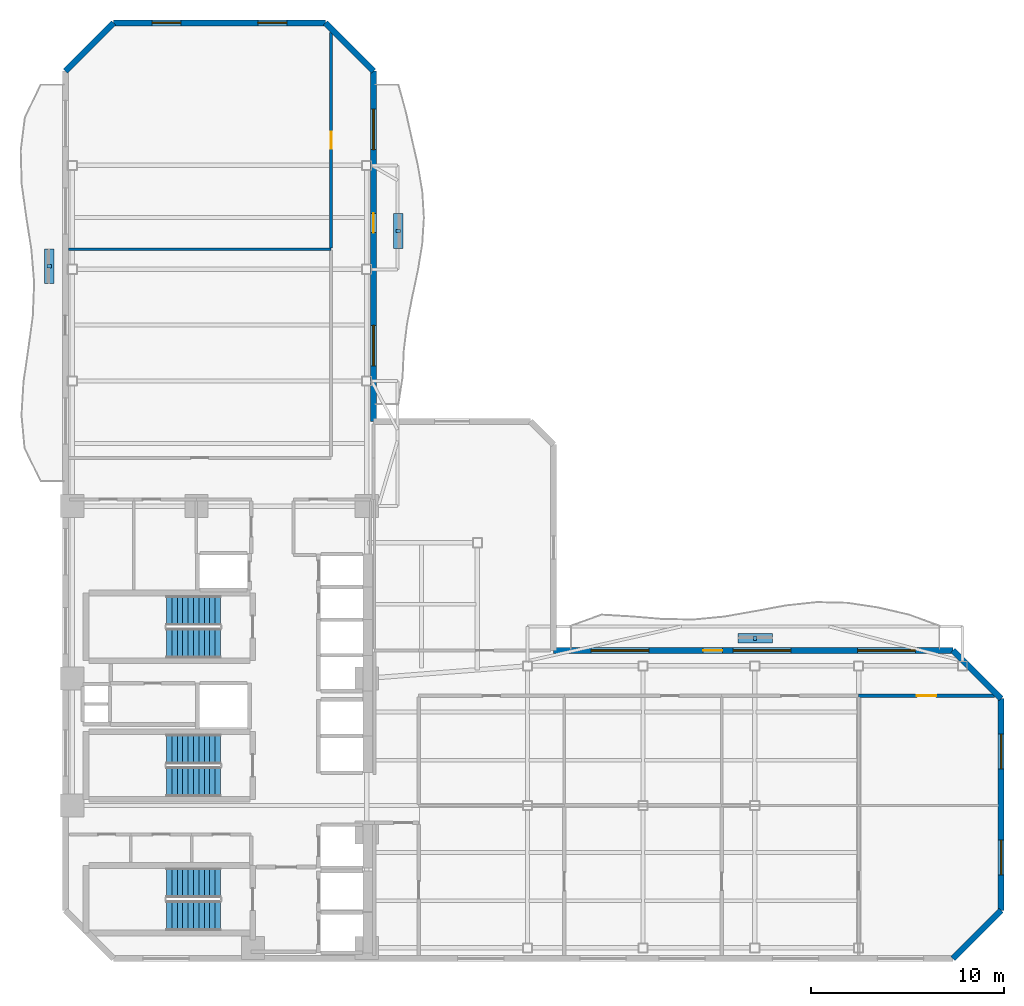
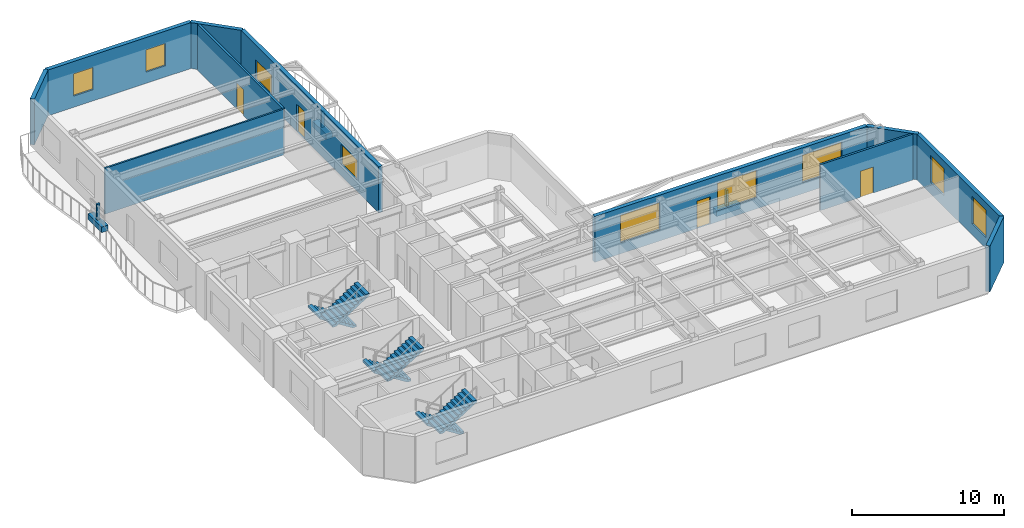
# One storey, part 6 of 9: 11 walls, 9 windows, 6 discrete accessories, 6 stair flights, 4 doors, 13 openings, 3 elements without a shape of their own.
"""IFC4 building model written with IfcOpenShell, lengths in metres."""

from ifc_helpers import new_model, si_unit, direction, frame, frame_2d, origin, origin_2d, place, context, subcontext, project, spatial, polyline, rectangle, outline, extrude, material, layer, layer_set, type_object, element, fill, aggregate, save


model = new_model("IFC4")

# Units and contexts
model_context = context("Model", 3, precision=1e-05, world=origin(), true_north=direction((0.0, 1.0)))
body_context = subcontext(model_context, "Body", "Model", "MODEL_VIEW")
ifc_project = project(units=[si_unit("LENGTHUNIT", "METRE"), si_unit("AREAUNIT", "SQUARE_METRE"), si_unit("VOLUMEUNIT", "CUBIC_METRE"), si_unit("PLANEANGLEUNIT", "RADIAN"), si_unit("MASSUNIT", "GRAM", prefix="KILO")], contexts=[model_context])

# Site, building, storey
site_placement = place(None, origin())
site = spatial("IfcSite", under=ifc_project, at=site_placement, CompositionType="ELEMENT")
building_placement = place(site_placement, origin())
building = spatial("IfcBuilding", under=site, at=building_placement, Name="Mawjaban Terraces University", CompositionType="ELEMENT")
storey_placement = place(building_placement, frame((0.0, 0.0, 130.699951171875)))
storey = spatial("IfcBuildingStorey", under=building, at=storey_placement, Name="L31", CompositionType="ELEMENT", Elevation=130.699951171875)

# Wall, opening, door
ifc_material_1 = material(Name="Fire-rated gypsum board on steel stud", Category="steel")
ifc_layer_1 = layer(ifc_material_1, 0.159912109375)
ifc_layer_set_1 = layer_set([ifc_layer_1], Name="Fire-rated gypsum board on steel stud")
wall_type_1 = type_object("IfcWallType", Name="CorridorPartition_160", PredefinedType="PARTITIONING", material=ifc_layer_set_1)
wall_1_placement = place(storey_placement, frame((63.199951171875, 13.64990234375, 0.0), z_axis=(0.0, 0.0, 1.0), x_axis=(1.0, 0.0, 0.0)))
wall_1 = element("IfcWall", 1, at=wall_1_placement, inside=storey, type_object=wall_type_1, Name="L31 Inner Terrace Gallery Corridor East Partition 24", PredefinedType="PARTITIONING", context=body_context, shape_type="SweptSolid", body=[
    extrude(rectangle(XDim=7.045166015625, YDim=0.159912109375, at=frame_2d((3.5224609375, 0.0))), origin(), (0.0, 0.0, 1.0), 3.68994140625),
])
opening_1_placement = place(wall_1_placement, frame((3.02294921875, 0.0, 0.0)))
opening_1 = element("IfcOpeningElement", 2, at=opening_1_placement, cuts=wall_1, Name="Opening ID-100", PredefinedType="OPENING", context=body_context, shape_type="SweptSolid", body=[
    extrude(rectangle(XDim=1.0, YDim=2.10009765625, at=frame_2d((0.5, 1.050048828125))), frame((0.0, 0.08984375, 0.0), z_axis=(0.0, -1.0, 0.0), x_axis=(1.0, 0.0, 0.0)), (0.0, 0.0, 1.0), 0.179931640625),
])
ifc_material_2 = material(Name="Powder-coated steel frame and solid acoustic timber leaf", Category="steel")
door_type_1 = type_object("IfcDoorType", Name="ClassroomDoor_1000x2100", OperationType="NOTDEFINED", PredefinedType="DOOR", material=ifc_material_2)
door_1_placement = place(opening_1_placement, origin())
door_1 = element("IfcDoor", 3, at=door_1_placement, inside=storey, type_object=door_type_1, Name="L31 Classroom 9 Door", OperationType="SINGLE_SWING_LEFT", OverallHeight=2.10009765625, OverallWidth=1.0, PredefinedType="DOOR", context=body_context, shape_type="SweptSolid", body=[
    extrude(rectangle(XDim=1.0, YDim=2.10009765625, at=frame_2d((0.5, 1.050048828125))), frame((0.0, 0.02490234375, 0.0), z_axis=(0.0, -1.0, 0.0), x_axis=(1.0, 0.0, 0.0)), (0.0, 0.0, 1.0), 0.050048828125),
])
fill(opening_1, door_1)

wall_2_placement = place(storey_placement, frame((35.800048828125, 48.094970703125, 0.0), z_axis=(0.0, 0.0, 1.0), x_axis=(0.0, -1.0, 0.0)))
wall_2 = element("IfcWall", 4, at=wall_2_placement, inside=storey, type_object=wall_type_1, Name="L31 Inner Terrace Gallery Corridor North Partition 35", PredefinedType="PARTITIONING", context=body_context, shape_type="SweptSolid", body=[
    extrude(rectangle(XDim=11.18798828125, YDim=0.159912109375, at=frame_2d((5.593994140625, 0.0))), origin(), (0.0, 0.0, 1.0), 3.68994140625),
])
opening_2_placement = place(wall_2_placement, frame((5.14404296875, 0.0, 0.0)))
opening_2 = element("IfcOpeningElement", 5, at=opening_2_placement, cuts=wall_2, Name="Opening ID-090", PredefinedType="OPENING", context=body_context, shape_type="SweptSolid", body=[
    extrude(rectangle(XDim=0.89990234375, YDim=2.10009765625, at=frame_2d((0.449951171875, 1.050048828125))), frame((0.0, 0.08984375, 0.0), z_axis=(0.0, -1.0, 0.0), x_axis=(1.0, 0.0, 0.0)), (0.0, 0.0, 1.0), 0.179931640625),
])
door_type_2 = type_object("IfcDoorType", Name="OfficeDoor_900x2100", OperationType="NOTDEFINED", PredefinedType="DOOR", material=ifc_material_2)
door_2_placement = place(opening_2_placement, origin())
door_2 = element("IfcDoor", 6, at=door_2_placement, inside=storey, type_object=door_type_2, Name="L31 Faculty Office 11 Door", OperationType="SINGLE_SWING_LEFT", OverallHeight=2.10009765625, OverallWidth=0.89990234375, PredefinedType="DOOR", context=body_context, shape_type="SweptSolid", body=[
    extrude(rectangle(XDim=0.89990234375, YDim=2.10009765625, at=frame_2d((0.449951171875, 1.050048828125))), frame((0.0, 0.02490234375, 0.0), z_axis=(0.0, -1.0, 0.0), x_axis=(1.0, 0.0, 0.0)), (0.0, 0.0, 1.0), 0.050048828125),
])
fill(opening_2, door_2)

# Wall
ifc_material_3 = material(Name="Insulated terracotta rainscreen on concrete backup C40/50", Category="masonry")
ifc_layer_2 = layer(ifc_material_3, 0.300048828125)
ifc_layer_set_2 = layer_set([ifc_layer_2], Name="Insulated terracotta rainscreen on concrete backup C40/50")
wall_type_2 = type_object("IfcWallType", Name="ExtTerracottaWall_300", PredefinedType="SOLIDWALL", material=ifc_layer_set_2)
wall_3_placement = place(storey_placement, frame((68.10009765625, 0.0, 0.0), z_axis=(0.0, 0.0, 1.0), x_axis=(0.707106781187, 0.707106781187, 0.0)))
element("IfcWall", 7, at=wall_3_placement, inside=storey, type_object=wall_type_2, Name="L31 Exterior Terracotta Wall 2", PredefinedType="SOLIDWALL", context=body_context, shape_type="SweptSolid", body=[
    extrude(rectangle(XDim=3.53564453125, YDim=0.300048828125, at=frame_2d((1.767822265625, 0.0))), origin(), (0.0, 0.0, 1.0), 3.68994140625),
])

# Wall, openings, windows
wall_4_placement = place(storey_placement, frame((70.60009765625, 2.5, 0.0), z_axis=(0.0, 0.0, 1.0), x_axis=(0.0, 1.0, 0.0)))
wall_4 = element("IfcWall", 8, at=wall_4_placement, inside=storey, type_object=wall_type_2, Name="L31 Exterior Terracotta Wall 3", PredefinedType="SOLIDWALL", context=body_context, shape_type="SweptSolid", body=[
    extrude(rectangle(XDim=11.0, YDim=0.300048828125, at=frame_2d((5.5, 0.0))), origin(), (0.0, 0.0, 1.0), 3.68994140625),
])
opening_3_placement = place(wall_4_placement, frame((1.85009765625, 0.0, 0.89990234375)))
opening_3 = element("IfcOpeningElement", 9, at=opening_3_placement, cuts=wall_4, Name="Opening W-10", PredefinedType="OPENING", context=body_context, shape_type="SweptSolid", body=[
    extrude(rectangle(XDim=1.800048828125, YDim=2.199951171875, at=frame_2d((0.89990234375, 1.10009765625))), frame((0.0, 0.159912109375, 0.0), z_axis=(0.0, -1.0, 0.0), x_axis=(1.0, 0.0, 0.0)), (0.0, 0.0, 1.0), 0.320068359375),
])
opening_4_placement = place(wall_4_placement, frame((7.35009765625, 0.0, 0.89990234375)))
opening_4 = element("IfcOpeningElement", 10, at=opening_4_placement, cuts=wall_4, Name="Opening W-10", PredefinedType="OPENING", context=body_context, shape_type="SweptSolid", body=[
    extrude(rectangle(XDim=1.800048828125, YDim=2.199951171875, at=frame_2d((0.89990234375, 1.10009765625))), frame((0.0, 0.159912109375, 0.0), z_axis=(0.0, -1.0, 0.0), x_axis=(1.0, 0.0, 0.0)), (0.0, 0.0, 1.0), 0.320068359375),
])
ifc_material_4 = material(Name="Low-E solar-control double glazing in thermally broken aluminium frame", Category="aluminium")
window_type_1 = type_object("IfcWindowType", Name="Win_1800x2200", PartitioningType="SINGLE_PANEL", PredefinedType="WINDOW", material=ifc_material_4)
window_1_placement = place(opening_3_placement, origin())
window_1 = element("IfcWindow", 11, at=window_1_placement, inside=storey, type_object=window_type_1, Name="L31 Facade Window 3.1", OverallHeight=2.199951171875, OverallWidth=1.800048828125, PartitioningType="SINGLE_PANEL", PredefinedType="WINDOW", context=body_context, shape_type="SweptSolid", body=[
    extrude(rectangle(XDim=1.800048828125, YDim=2.199951171875, at=frame_2d((0.89990234375, 1.10009765625))), frame((0.0, 0.030029296875, 0.0), z_axis=(0.0, -1.0, 0.0), x_axis=(1.0, 0.0, 0.0)), (0.0, 0.0, 1.0), 0.06005859375),
])
fill(opening_3, window_1)
window_2_placement = place(opening_4_placement, origin())
window_2 = element("IfcWindow", 12, at=window_2_placement, inside=storey, type_object=window_type_1, Name="L31 Facade Window 3.2", OverallHeight=2.199951171875, OverallWidth=1.800048828125, PartitioningType="SINGLE_PANEL", PredefinedType="WINDOW", context=body_context, shape_type="SweptSolid", body=[
    extrude(rectangle(XDim=1.800048828125, YDim=2.199951171875, at=frame_2d((0.89990234375, 1.10009765625))), frame((0.0, 0.030029296875, 0.0), z_axis=(0.0, -1.0, 0.0), x_axis=(1.0, 0.0, 0.0)), (0.0, 0.0, 1.0), 0.06005859375),
])
fill(opening_4, window_2)

# Wall
wall_5_placement = place(storey_placement, frame((70.60009765625, 13.5, 0.0), z_axis=(0.0, 0.0, 1.0), x_axis=(-0.707106781187, 0.707106781187, 0.0)))
element("IfcWall", 13, at=wall_5_placement, inside=storey, type_object=wall_type_2, Name="L31 Exterior Terracotta Wall 4", PredefinedType="SOLIDWALL", context=body_context, shape_type="SweptSolid", body=[
    extrude(rectangle(XDim=3.53564453125, YDim=0.300048828125, at=frame_2d((1.767822265625, 0.0))), origin(), (0.0, 0.0, 1.0), 3.68994140625),
])

# Wall, openings, door, windows
wall_6_placement = place(storey_placement, frame((68.10009765625, 16.0, 0.0), z_axis=(0.0, 0.0, 1.0), x_axis=(-1.0, 0.0, 0.0)))
wall_6 = element("IfcWall", 14, at=wall_6_placement, inside=storey, type_object=wall_type_2, Name="L31 Exterior Terracotta Wall 5", PredefinedType="SOLIDWALL", context=body_context, shape_type="SweptSolid", body=[
    extrude(rectangle(XDim=20.7490234375, YDim=0.300048828125, at=frame_2d((10.37451171875, 0.0))), origin(), (0.0, 0.0, 1.0), 3.68994140625),
])
opening_5_placement = place(wall_6_placement, frame((11.97412109375, 0.0, 0.0)))
opening_5 = element("IfcOpeningElement", 15, at=opening_5_placement, cuts=wall_6, Name="Opening BD-100", PredefinedType="OPENING", context=body_context, shape_type="SweptSolid", body=[
    extrude(rectangle(XDim=1.0, YDim=2.199951171875, at=frame_2d((0.5, 1.10009765625))), frame((0.0, 0.159912109375, 0.0), z_axis=(0.0, -1.0, 0.0), x_axis=(1.0, 0.0, 0.0)), (0.0, 0.0, 1.0), 0.320068359375),
])
opening_6_placement = place(wall_6_placement, frame((1.9580078125, 0.0, 0.89990234375)))
opening_6 = element("IfcOpeningElement", 16, at=opening_6_placement, cuts=wall_6, Name="Opening W-12", PredefinedType="OPENING", context=body_context, shape_type="SweptSolid", body=[
    extrude(rectangle(XDim=3.0, YDim=2.199951171875, at=frame_2d((1.5, 1.10009765625))), frame((0.0, 0.159912109375, 0.0), z_axis=(0.0, -1.0, 0.0), x_axis=(1.0, 0.0, 0.0)), (0.0, 0.0, 1.0), 0.320068359375),
])
opening_7_placement = place(wall_6_placement, frame((8.424072265625, 0.0, 0.89990234375)))
opening_7 = element("IfcOpeningElement", 17, at=opening_7_placement, cuts=wall_6, Name="Opening W-12", PredefinedType="OPENING", context=body_context, shape_type="SweptSolid", body=[
    extrude(rectangle(XDim=3.0, YDim=2.199951171875, at=frame_2d((1.5, 1.10009765625))), frame((0.0, 0.159912109375, 0.0), z_axis=(0.0, -1.0, 0.0), x_axis=(1.0, 0.0, 0.0)), (0.0, 0.0, 1.0), 0.320068359375),
])
opening_8_placement = place(wall_6_placement, frame((15.791015625, 0.0, 0.89990234375)))
opening_8 = element("IfcOpeningElement", 18, at=opening_8_placement, cuts=wall_6, Name="Opening W-12", PredefinedType="OPENING", context=body_context, shape_type="SweptSolid", body=[
    extrude(rectangle(XDim=3.0, YDim=2.199951171875, at=frame_2d((1.5, 1.10009765625))), frame((0.0, 0.159912109375, 0.0), z_axis=(0.0, -1.0, 0.0), x_axis=(1.0, 0.0, 0.0)), (0.0, 0.0, 1.0), 0.320068359375),
])
ifc_material_5 = material(Name="Thermally broken anodised aluminium and laminated safety glass", Category="aluminium")
door_type_3 = type_object("IfcDoorType", Name="BalconyGlazedDoor_1000x2200", OperationType="NOTDEFINED", PredefinedType="DOOR", material=ifc_material_5)
door_3_placement = place(opening_5_placement, origin())
door_3 = element("IfcDoor", 19, at=door_3_placement, inside=storey, type_object=door_type_3, Name="L31 Balcony Access Door inner_north", OperationType="SINGLE_SWING_RIGHT", OverallHeight=2.199951171875, OverallWidth=1.0, PredefinedType="DOOR", context=body_context, shape_type="SweptSolid", body=[
    extrude(rectangle(XDim=1.0, YDim=2.199951171875, at=frame_2d((0.5, 1.10009765625))), frame((0.0, 0.02490234375, 0.0), z_axis=(0.0, -1.0, 0.0), x_axis=(1.0, 0.0, 0.0)), (0.0, 0.0, 1.0), 0.050048828125),
])
fill(opening_5, door_3)
window_type_2 = type_object("IfcWindowType", Name="Win_3000x2200", PartitioningType="SINGLE_PANEL", PredefinedType="WINDOW", material=ifc_material_4)
window_3_placement = place(opening_6_placement, origin())
window_3 = element("IfcWindow", 20, at=window_3_placement, inside=storey, type_object=window_type_2, Name="L31 Facade Window 5.1", OverallHeight=2.199951171875, OverallWidth=3.0, PartitioningType="SINGLE_PANEL", PredefinedType="WINDOW", context=body_context, shape_type="SweptSolid", body=[
    extrude(rectangle(XDim=3.0, YDim=2.199951171875, at=frame_2d((1.5, 1.10009765625))), frame((0.0, 0.030029296875, 0.0), z_axis=(0.0, -1.0, 0.0), x_axis=(1.0, 0.0, 0.0)), (0.0, 0.0, 1.0), 0.06005859375),
])
fill(opening_6, window_3)
window_4_placement = place(opening_7_placement, origin())
window_4 = element("IfcWindow", 21, at=window_4_placement, inside=storey, type_object=window_type_2, Name="L31 Facade Window 5.2", OverallHeight=2.199951171875, OverallWidth=3.0, PartitioningType="SINGLE_PANEL", PredefinedType="WINDOW", context=body_context, shape_type="SweptSolid", body=[
    extrude(rectangle(XDim=3.0, YDim=2.199951171875, at=frame_2d((1.5, 1.10009765625))), frame((0.0, 0.030029296875, 0.0), z_axis=(0.0, -1.0, 0.0), x_axis=(1.0, 0.0, 0.0)), (0.0, 0.0, 1.0), 0.06005859375),
])
fill(opening_7, window_4)
window_5_placement = place(opening_8_placement, origin())
window_5 = element("IfcWindow", 22, at=window_5_placement, inside=storey, type_object=window_type_2, Name="L31 Facade Window 5.3", OverallHeight=2.199951171875, OverallWidth=3.0, PartitioningType="SINGLE_PANEL", PredefinedType="WINDOW", context=body_context, shape_type="SweptSolid", body=[
    extrude(rectangle(XDim=3.0, YDim=2.199951171875, at=frame_2d((1.5, 1.10009765625))), frame((0.0, 0.030029296875, 0.0), z_axis=(0.0, -1.0, 0.0), x_axis=(1.0, 0.0, 0.0)), (0.0, 0.0, 1.0), 0.06005859375),
])
fill(opening_8, window_5)

wall_7_placement = place(storey_placement, frame((38.0, 27.89990234375, 0.0), z_axis=(0.0, 0.0, 1.0), x_axis=(0.0, 1.0, 0.0)))
wall_7 = element("IfcWall", 23, at=wall_7_placement, inside=storey, type_object=wall_type_2, Name="L31 Exterior Terracotta Wall 9", PredefinedType="SOLIDWALL", context=body_context, shape_type="SweptSolid", body=[
    extrude(rectangle(XDim=18.2001953125, YDim=0.300048828125, at=frame_2d((9.10009765625, 0.0))), origin(), (0.0, 0.0, 1.0), 3.68994140625),
])
opening_9_placement = place(wall_7_placement, frame((9.800048828125, 0.0, 0.0)))
opening_9 = element("IfcOpeningElement", 24, at=opening_9_placement, cuts=wall_7, Name="Opening BD-100", PredefinedType="OPENING", context=body_context, shape_type="SweptSolid", body=[
    extrude(rectangle(XDim=1.0, YDim=2.199951171875, at=frame_2d((0.5, 1.10009765625))), frame((0.0, 0.159912109375, 0.0), z_axis=(0.0, -1.0, 0.0), x_axis=(1.0, 0.0, 0.0)), (0.0, 0.0, 1.0), 0.320068359375),
])
opening_10_placement = place(wall_7_placement, frame((2.883056640625, 0.0, 0.89990234375)))
opening_10 = element("IfcOpeningElement", 25, at=opening_10_placement, cuts=wall_7, Name="Opening W-04", PredefinedType="OPENING", context=body_context, shape_type="SweptSolid", body=[
    extrude(rectangle(XDim=2.10009765625, YDim=1.60009765625, at=frame_2d((1.050048828125, 0.800048828125))), frame((0.0, 0.159912109375, 0.0), z_axis=(0.0, -1.0, 0.0), x_axis=(1.0, 0.0, 0.0)), (0.0, 0.0, 1.0), 0.320068359375),
])
opening_11_placement = place(wall_7_placement, frame((14.116943359375, 0.0, 0.89990234375)))
opening_11 = element("IfcOpeningElement", 26, at=opening_11_placement, cuts=wall_7, Name="Opening W-04", PredefinedType="OPENING", context=body_context, shape_type="SweptSolid", body=[
    extrude(rectangle(XDim=2.10009765625, YDim=1.60009765625, at=frame_2d((1.050048828125, 0.800048828125))), frame((0.0, 0.159912109375, 0.0), z_axis=(0.0, -1.0, 0.0), x_axis=(1.0, 0.0, 0.0)), (0.0, 0.0, 1.0), 0.320068359375),
])
door_4_placement = place(opening_9_placement, origin())
door_4 = element("IfcDoor", 27, at=door_4_placement, inside=storey, type_object=door_type_3, Name="L31 Balcony Access Door inner_east", OperationType="SINGLE_SWING_RIGHT", OverallHeight=2.199951171875, OverallWidth=1.0, PredefinedType="DOOR", context=body_context, shape_type="SweptSolid", body=[
    extrude(rectangle(XDim=1.0, YDim=2.199951171875, at=frame_2d((0.5, 1.10009765625))), frame((0.0, 0.02490234375, 0.0), z_axis=(0.0, -1.0, 0.0), x_axis=(1.0, 0.0, 0.0)), (0.0, 0.0, 1.0), 0.050048828125),
])
fill(opening_9, door_4)
window_type_3 = type_object("IfcWindowType", Name="Win_2100x1600", PartitioningType="SINGLE_PANEL", PredefinedType="WINDOW", material=ifc_material_4)
window_6_placement = place(opening_10_placement, origin())
window_6 = element("IfcWindow", 28, at=window_6_placement, inside=storey, type_object=window_type_3, Name="L31 Facade Window 9.1", OverallHeight=1.60009765625, OverallWidth=2.10009765625, PartitioningType="SINGLE_PANEL", PredefinedType="WINDOW", context=body_context, shape_type="SweptSolid", body=[
    extrude(rectangle(XDim=2.10009765625, YDim=1.60009765625, at=frame_2d((1.050048828125, 0.800048828125))), frame((0.0, 0.030029296875, 0.0), z_axis=(0.0, -1.0, 0.0), x_axis=(1.0, 0.0, 0.0)), (0.0, 0.0, 1.0), 0.06005859375),
])
fill(opening_10, window_6)
window_7_placement = place(opening_11_placement, origin())
window_7 = element("IfcWindow", 29, at=window_7_placement, inside=storey, type_object=window_type_3, Name="L31 Facade Window 9.3", OverallHeight=1.60009765625, OverallWidth=2.10009765625, PartitioningType="SINGLE_PANEL", PredefinedType="WINDOW", context=body_context, shape_type="SweptSolid", body=[
    extrude(rectangle(XDim=2.10009765625, YDim=1.60009765625, at=frame_2d((1.050048828125, 0.800048828125))), frame((0.0, 0.030029296875, 0.0), z_axis=(0.0, -1.0, 0.0), x_axis=(1.0, 0.0, 0.0)), (0.0, 0.0, 1.0), 0.06005859375),
])
fill(opening_11, window_7)

# Wall
wall_8_placement = place(storey_placement, frame((38.0, 46.10009765625, 0.0), z_axis=(0.0, 0.0, 1.0), x_axis=(-0.707106781187, 0.707106781187, 0.0)))
element("IfcWall", 30, at=wall_8_placement, inside=storey, type_object=wall_type_2, Name="L31 Exterior Terracotta Wall 10", PredefinedType="SOLIDWALL", context=body_context, shape_type="SweptSolid", body=[
    extrude(rectangle(XDim=3.53564453125, YDim=0.300048828125, at=frame_2d((1.767822265625, 0.0))), origin(), (0.0, 0.0, 1.0), 3.68994140625),
])

# Wall, openings, windows
wall_9_placement = place(storey_placement, frame((35.5, 48.60009765625, 0.0), z_axis=(0.0, 0.0, 1.0), x_axis=(-1.0, 0.0, 0.0)))
wall_9 = element("IfcWall", 31, at=wall_9_placement, inside=storey, type_object=wall_type_2, Name="L31 Exterior Terracotta Wall 11", PredefinedType="SOLIDWALL", context=body_context, shape_type="SweptSolid", body=[
    extrude(rectangle(XDim=11.0, YDim=0.300048828125, at=frame_2d((5.5, 0.0))), origin(), (0.0, 0.0, 1.0), 3.68994140625),
])
opening_12_placement = place(wall_9_placement, frame((2.0, 0.0, 0.89990234375)))
opening_12 = element("IfcOpeningElement", 32, at=opening_12_placement, cuts=wall_9, Name="Opening W-06", PredefinedType="OPENING", context=body_context, shape_type="SweptSolid", body=[
    extrude(rectangle(XDim=1.5, YDim=1.800048828125, at=frame_2d((0.75, 0.89990234375))), frame((0.0, 0.159912109375, 0.0), z_axis=(0.0, -1.0, 0.0), x_axis=(1.0, 0.0, 0.0)), (0.0, 0.0, 1.0), 0.320068359375),
])
opening_13_placement = place(wall_9_placement, frame((7.5, 0.0, 0.89990234375)))
opening_13 = element("IfcOpeningElement", 33, at=opening_13_placement, cuts=wall_9, Name="Opening W-06", PredefinedType="OPENING", context=body_context, shape_type="SweptSolid", body=[
    extrude(rectangle(XDim=1.5, YDim=1.800048828125, at=frame_2d((0.75, 0.89990234375))), frame((0.0, 0.159912109375, 0.0), z_axis=(0.0, -1.0, 0.0), x_axis=(1.0, 0.0, 0.0)), (0.0, 0.0, 1.0), 0.320068359375),
])
window_type_4 = type_object("IfcWindowType", Name="Win_1500x1800", PartitioningType="SINGLE_PANEL", PredefinedType="WINDOW", material=ifc_material_4)
window_8_placement = place(opening_12_placement, origin())
window_8 = element("IfcWindow", 34, at=window_8_placement, inside=storey, type_object=window_type_4, Name="L31 Facade Window 11.1", OverallHeight=1.800048828125, OverallWidth=1.5, PartitioningType="SINGLE_PANEL", PredefinedType="WINDOW", context=body_context, shape_type="SweptSolid", body=[
    extrude(rectangle(XDim=1.5, YDim=1.800048828125, at=frame_2d((0.75, 0.89990234375))), frame((0.0, 0.030029296875, 0.0), z_axis=(0.0, -1.0, 0.0), x_axis=(1.0, 0.0, 0.0)), (0.0, 0.0, 1.0), 0.06005859375),
])
fill(opening_12, window_8)
window_9_placement = place(opening_13_placement, origin())
window_9 = element("IfcWindow", 35, at=window_9_placement, inside=storey, type_object=window_type_4, Name="L31 Facade Window 11.2", OverallHeight=1.800048828125, OverallWidth=1.5, PartitioningType="SINGLE_PANEL", PredefinedType="WINDOW", context=body_context, shape_type="SweptSolid", body=[
    extrude(rectangle(XDim=1.5, YDim=1.800048828125, at=frame_2d((0.75, 0.89990234375))), frame((0.0, 0.030029296875, 0.0), z_axis=(0.0, -1.0, 0.0), x_axis=(1.0, 0.0, 0.0)), (0.0, 0.0, 1.0), 0.06005859375),
])
fill(opening_13, window_9)

# Walls
wall_10_placement = place(storey_placement, frame((24.5, 48.60009765625, 0.0), z_axis=(0.0, 0.0, 1.0), x_axis=(-0.707106781187, -0.707106781187, 0.0)))
element("IfcWall", 36, at=wall_10_placement, inside=storey, type_object=wall_type_2, Name="L31 Exterior Terracotta Wall 12", PredefinedType="SOLIDWALL", context=body_context, shape_type="SweptSolid", body=[
    extrude(rectangle(XDim=3.53564453125, YDim=0.300048828125, at=frame_2d((1.767822265625, 0.0))), origin(), (0.0, 0.0, 1.0), 3.68994140625),
])
ifc_material_6 = material(Name="Gypsum plasterboard on steel stud", Category="steel")
ifc_layer_3 = layer(ifc_material_6, 0.125)
ifc_layer_set_3 = layer_set([ifc_layer_3], Name="Gypsum plasterboard on steel stud")
wall_type_3 = type_object("IfcWallType", Name="OfficePartition_125", PredefinedType="PARTITIONING", material=ifc_layer_set_3)
wall_11_placement = place(storey_placement, frame((35.800048828125, 36.85009765625, 0.0), z_axis=(0.0, 0.0, 1.0), x_axis=(-1.0, 0.0, 0.0)))
element("IfcWall", 37, at=wall_11_placement, inside=storey, type_object=wall_type_3, Name="L31 Seminar Room 10 Partition 13", PredefinedType="PARTITIONING", context=body_context, shape_type="SweptSolid", body=[
    extrude(rectangle(XDim=13.655029296875, YDim=0.125, at=frame_2d((6.82763671875, 0.0))), origin(), (0.0, 0.0, 1.0), 3.68994140625),
])

# Stair, stair flights
ifc_material_7 = material(Name="Concrete C40/50", Category="concrete")
stair_type = type_object("IfcStairType", Name="Stair_Core1550_H39", PredefinedType="HALF_TURN_STAIR", material=ifc_material_7)
stair_1_placement = place(storey_placement, origin())
stair_1 = element("IfcStair", 38, at=stair_1_placement, inside=storey, type_object=stair_type, Name="L31 Core Exit Stair 1", PredefinedType="HALF_TURN_STAIR")
stair_flight_type = type_object("IfcStairFlightType", Name="Flight_Core1550_H39", PredefinedType="STRAIGHT", material=ifc_material_7)
stair_flight_1_placement = place(storey_placement, frame((30.050048828125, 3.925048828125, 0.0), z_axis=(0.0, 0.0, 1.0), x_axis=(-1.0, 0.0, 0.0)))
stair_flight_1 = element("IfcStairFlight", 39, at=stair_flight_1_placement, type_object=stair_flight_type, Name="ST-1 flight 1", NumberOfRisers=11, NumberOfTreads=10, PredefinedType="STRAIGHT", RiserHeight=0.177272727, TreadLength=0.28, context=body_context, shape_type="SweptSolid", body=[
    extrude(outline(polyline([(0.0, 0.0), (0.0, 0.17724609375), (0.280029296875, 0.17724609375), (0.280029296875, 0.3544921875), (0.56005859375, 0.3544921875), (0.56005859375, 0.53173828125), (0.840087890625, 0.53173828125), (0.840087890625, 0.708984375), (1.1201171875, 0.708984375), (1.1201171875, 0.886474609375), (1.39990234375, 0.886474609375), (1.39990234375, 1.063720703125), (1.679931640625, 1.063720703125), (1.679931640625, 1.240966796875), (1.9599609375, 1.240966796875), (1.9599609375, 1.418212890625), (2.239990234375, 1.418212890625), (2.239990234375, 1.595458984375), (2.52001953125, 1.595458984375), (2.52001953125, 1.772705078125), (2.800048828125, 1.772705078125), (2.800048828125, 1.949951171875), (2.800048828125, 1.59521484375), (0.2802734375, 0.0), (0.0, 0.0)])), frame((0.0, 0.77490234375, 0.0), z_axis=(0.0, -1.0, 0.0), x_axis=(1.0, 0.0, 0.0)), (0.0, 0.0, 1.0), 1.550048828125),
])
stair_flight_2_placement = place(storey_placement, frame((27.25, 2.22509765625, 1.949951171875), z_axis=(0.0, 0.0, 1.0), x_axis=(1.0, 0.0, 0.0)))
stair_flight_2 = element("IfcStairFlight", 40, at=stair_flight_2_placement, type_object=stair_flight_type, Name="ST-1 flight 2", NumberOfRisers=11, NumberOfTreads=10, PredefinedType="STRAIGHT", RiserHeight=0.177272727, TreadLength=0.28, context=body_context, shape_type="SweptSolid", body=[
    extrude(outline(polyline([(0.0, 0.0), (0.0, 0.17724609375), (0.280029296875, 0.17724609375), (0.280029296875, 0.3544921875), (0.56005859375, 0.3544921875), (0.56005859375, 0.53173828125), (0.840087890625, 0.53173828125), (0.840087890625, 0.708984375), (1.1201171875, 0.708984375), (1.1201171875, 0.886474609375), (1.39990234375, 0.886474609375), (1.39990234375, 1.063720703125), (1.679931640625, 1.063720703125), (1.679931640625, 1.240966796875), (1.9599609375, 1.240966796875), (1.9599609375, 1.418212890625), (2.239990234375, 1.418212890625), (2.239990234375, 1.595458984375), (2.52001953125, 1.595458984375), (2.52001953125, 1.772705078125), (2.800048828125, 1.772705078125), (2.800048828125, 1.949951171875), (2.800048828125, 1.59521484375), (0.2802734375, 0.0), (0.0, 0.0)])), frame((0.0, 0.77490234375, 0.0), z_axis=(0.0, -1.0, 0.0), x_axis=(1.0, 0.0, 0.0)), (0.0, 0.0, 1.0), 1.550048828125),
])
aggregate(stair_1, [stair_flight_1, stair_flight_2])

stair_2_placement = place(storey_placement, origin())
stair_2 = element("IfcStair", 41, at=stair_2_placement, inside=storey, type_object=stair_type, Name="L31 Core Exit Stair 2", PredefinedType="HALF_TURN_STAIR")
stair_flight_3_placement = place(storey_placement, frame((30.050048828125, 18.074951171875, 0.0), z_axis=(0.0, 0.0, 1.0), x_axis=(-1.0, 0.0, 0.0)))
stair_flight_3 = element("IfcStairFlight", 42, at=stair_flight_3_placement, type_object=stair_flight_type, Name="ST-2 flight 1", NumberOfRisers=11, NumberOfTreads=10, PredefinedType="STRAIGHT", RiserHeight=0.177272727, TreadLength=0.28, context=body_context, shape_type="SweptSolid", body=[
    extrude(outline(polyline([(0.0, 0.0), (0.0, 0.17724609375), (0.280029296875, 0.17724609375), (0.280029296875, 0.3544921875), (0.56005859375, 0.3544921875), (0.56005859375, 0.53173828125), (0.840087890625, 0.53173828125), (0.840087890625, 0.708984375), (1.1201171875, 0.708984375), (1.1201171875, 0.886474609375), (1.39990234375, 0.886474609375), (1.39990234375, 1.063720703125), (1.679931640625, 1.063720703125), (1.679931640625, 1.240966796875), (1.9599609375, 1.240966796875), (1.9599609375, 1.418212890625), (2.239990234375, 1.418212890625), (2.239990234375, 1.595458984375), (2.52001953125, 1.595458984375), (2.52001953125, 1.772705078125), (2.800048828125, 1.772705078125), (2.800048828125, 1.949951171875), (2.800048828125, 1.59521484375), (0.2802734375, 0.0), (0.0, 0.0)])), frame((0.0, 0.77490234375, 0.0), z_axis=(0.0, -1.0, 0.0), x_axis=(1.0, 0.0, 0.0)), (0.0, 0.0, 1.0), 1.550048828125),
])
stair_flight_4_placement = place(storey_placement, frame((27.25, 16.375, 1.949951171875), z_axis=(0.0, 0.0, 1.0), x_axis=(1.0, 0.0, 0.0)))
stair_flight_4 = element("IfcStairFlight", 43, at=stair_flight_4_placement, type_object=stair_flight_type, Name="ST-2 flight 2", NumberOfRisers=11, NumberOfTreads=10, PredefinedType="STRAIGHT", RiserHeight=0.177272727, TreadLength=0.28, context=body_context, shape_type="SweptSolid", body=[
    extrude(outline(polyline([(0.0, 0.0), (0.0, 0.17724609375), (0.280029296875, 0.17724609375), (0.280029296875, 0.3544921875), (0.56005859375, 0.3544921875), (0.56005859375, 0.53173828125), (0.840087890625, 0.53173828125), (0.840087890625, 0.708984375), (1.1201171875, 0.708984375), (1.1201171875, 0.886474609375), (1.39990234375, 0.886474609375), (1.39990234375, 1.063720703125), (1.679931640625, 1.063720703125), (1.679931640625, 1.240966796875), (1.9599609375, 1.240966796875), (1.9599609375, 1.418212890625), (2.239990234375, 1.418212890625), (2.239990234375, 1.595458984375), (2.52001953125, 1.595458984375), (2.52001953125, 1.772705078125), (2.800048828125, 1.772705078125), (2.800048828125, 1.949951171875), (2.800048828125, 1.59521484375), (0.2802734375, 0.0), (0.0, 0.0)])), frame((0.0, 0.77490234375, 0.0), z_axis=(0.0, -1.0, 0.0), x_axis=(1.0, 0.0, 0.0)), (0.0, 0.0, 1.0), 1.550048828125),
])
aggregate(stair_2, [stair_flight_3, stair_flight_4])

stair_3_placement = place(storey_placement, origin())
stair_3 = element("IfcStair", 44, at=stair_3_placement, inside=storey, type_object=stair_type, Name="L31 Core Exit Stair 3", PredefinedType="HALF_TURN_STAIR")
stair_flight_5_placement = place(storey_placement, frame((30.050048828125, 10.875, 0.0), z_axis=(0.0, 0.0, 1.0), x_axis=(-1.0, 0.0, 0.0)))
stair_flight_5 = element("IfcStairFlight", 45, at=stair_flight_5_placement, type_object=stair_flight_type, Name="ST-3 flight 1", NumberOfRisers=11, NumberOfTreads=10, PredefinedType="STRAIGHT", RiserHeight=0.177272727, TreadLength=0.28, context=body_context, shape_type="SweptSolid", body=[
    extrude(outline(polyline([(0.0, 0.0), (0.0, 0.17724609375), (0.280029296875, 0.17724609375), (0.280029296875, 0.3544921875), (0.56005859375, 0.3544921875), (0.56005859375, 0.53173828125), (0.840087890625, 0.53173828125), (0.840087890625, 0.708984375), (1.1201171875, 0.708984375), (1.1201171875, 0.886474609375), (1.39990234375, 0.886474609375), (1.39990234375, 1.063720703125), (1.679931640625, 1.063720703125), (1.679931640625, 1.240966796875), (1.9599609375, 1.240966796875), (1.9599609375, 1.418212890625), (2.239990234375, 1.418212890625), (2.239990234375, 1.595458984375), (2.52001953125, 1.595458984375), (2.52001953125, 1.772705078125), (2.800048828125, 1.772705078125), (2.800048828125, 1.949951171875), (2.800048828125, 1.59521484375), (0.2802734375, 0.0), (0.0, 0.0)])), frame((0.0, 0.77490234375, 0.0), z_axis=(0.0, -1.0, 0.0), x_axis=(1.0, 0.0, 0.0)), (0.0, 0.0, 1.0), 1.550048828125),
])
stair_flight_6_placement = place(storey_placement, frame((27.25, 9.175048828125, 1.949951171875), z_axis=(0.0, 0.0, 1.0), x_axis=(1.0, 0.0, 0.0)))
stair_flight_6 = element("IfcStairFlight", 46, at=stair_flight_6_placement, type_object=stair_flight_type, Name="ST-3 flight 2", NumberOfRisers=11, NumberOfTreads=10, PredefinedType="STRAIGHT", RiserHeight=0.177272727, TreadLength=0.28, context=body_context, shape_type="SweptSolid", body=[
    extrude(outline(polyline([(0.0, 0.0), (0.0, 0.17724609375), (0.280029296875, 0.17724609375), (0.280029296875, 0.3544921875), (0.56005859375, 0.3544921875), (0.56005859375, 0.53173828125), (0.840087890625, 0.53173828125), (0.840087890625, 0.708984375), (1.1201171875, 0.708984375), (1.1201171875, 0.886474609375), (1.39990234375, 0.886474609375), (1.39990234375, 1.063720703125), (1.679931640625, 1.063720703125), (1.679931640625, 1.240966796875), (1.9599609375, 1.240966796875), (1.9599609375, 1.418212890625), (2.239990234375, 1.418212890625), (2.239990234375, 1.595458984375), (2.52001953125, 1.595458984375), (2.52001953125, 1.772705078125), (2.800048828125, 1.772705078125), (2.800048828125, 1.949951171875), (2.800048828125, 1.59521484375), (0.2802734375, 0.0), (0.0, 0.0)])), frame((0.0, 0.77490234375, 0.0), z_axis=(0.0, -1.0, 0.0), x_axis=(1.0, 0.0, 0.0)), (0.0, 0.0, 1.0), 1.550048828125),
])
aggregate(stair_3, [stair_flight_5, stair_flight_6])

# Discrete accessories
ifc_material_8 = material(Name="Stainless steel 316L", Category="steel")
discrete_accessory_type_1 = type_object("IfcDiscreteAccessoryType", Name="FacadeScreenBracket_Steel", PredefinedType="BRACKET", material=ifc_material_8)
for number, where, z_axis, x_axis, name in (
    (47, (21.14892578125, 35.958984375, 0.419921875), (0.0, 0.0, 1.0), (0.0, 1.0, 0.0), "L31 Balcony Screen Support Bracket west"),
    (48, (57.825927734375, 16.64501953125, 0.419921875), (0.0, 0.0, 1.0), (1.0, 0.0, 0.0), "L31 Balcony Screen Support Bracket inner_north"),
    (49, (39.2880859375, 37.791015625, 0.419921875), (0.0, 0.0, 1.0), (0.0, 1.0, 0.0), "L31 Balcony Screen Support Bracket inner_east"),
):
    element("IfcDiscreteAccessory", number, at=place(storey_placement, frame(where, z_axis=z_axis, x_axis=x_axis)), inside=storey, type_object=discrete_accessory_type_1, Name=name, PredefinedType="BRACKET", context=body_context, shape_type="SweptSolid", body=[
        extrude(rectangle(XDim=0.159912109375, YDim=0.239990234375, at=origin_2d()), origin(), (0.0, 0.0, 1.0), 1.300048828125),
    ])
ifc_material_9 = material(Name="Precast architectural terracotta planter with engineered planting soil", Category="masonry")
discrete_accessory_type_2 = type_object("IfcDiscreteAccessoryType", Name="IrrigatedPlanterTrough_450", PredefinedType="USERDEFINED", material=ifc_material_9)
for number, where, z_axis, x_axis, name in (
    (50, (21.14892578125, 35.958984375, -0.0048828125), (0.0, 0.0, 1.0), (0.0, 1.0, 0.0), "L31 Balcony Irrigated Planter west"),
    (51, (57.825927734375, 16.64501953125, -0.0048828125), (0.0, 0.0, 1.0), (1.0, 0.0, 0.0), "L31 Balcony Irrigated Planter inner_north"),
    (52, (39.2880859375, 37.791015625, -0.0048828125), (0.0, 0.0, 1.0), (0.0, 1.0, 0.0), "L31 Balcony Irrigated Planter inner_east"),
):
    element("IfcDiscreteAccessory", number, at=place(storey_placement, frame(where, z_axis=z_axis, x_axis=x_axis)), inside=storey, type_object=discrete_accessory_type_2, Name=name, ObjectType="PLANTER", PredefinedType="USERDEFINED", context=body_context, shape_type="SweptSolid", body=[
        extrude(rectangle(XDim=1.800048828125, YDim=0.5, at=origin_2d()), origin(), (0.0, 0.0, 1.0), 0.449951171875),
    ])

save(model, "model.ifc")
